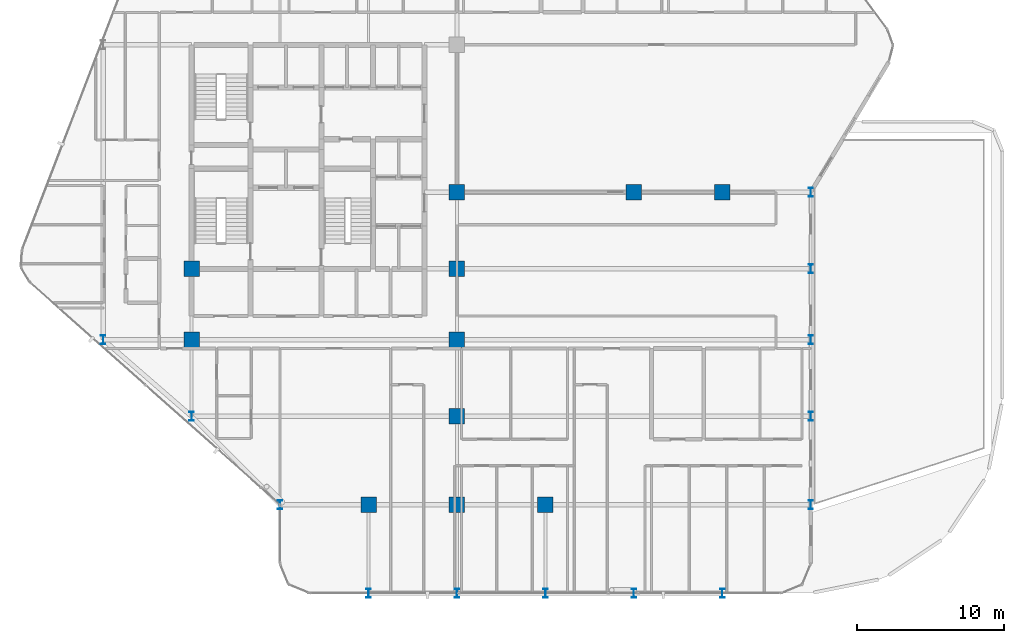
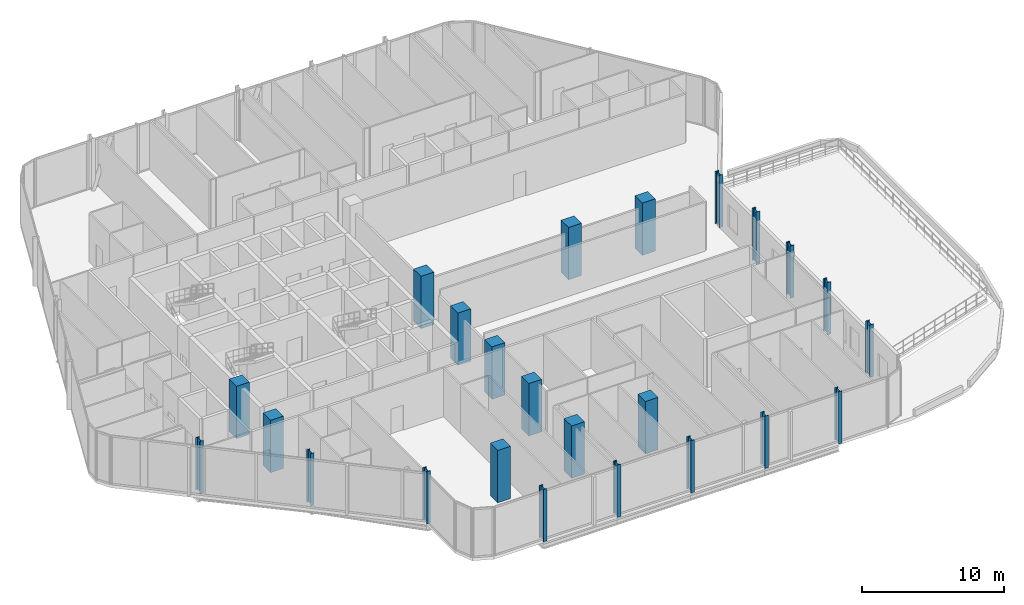
# One storey, part 1 of 30: 24 columns.
"""IFC4 building model written with IfcOpenShell, lengths in metres."""

from ifc_helpers import new_model, si_unit, direction, frame, origin, origin_2d, place, context, subcontext, project, spatial, rectangle, i_section, extrude, material, material_profile, profile_set, type_object, element, save


model = new_model("IFC4")

# Units and contexts
model_context = context("Model", 3, precision=1e-05, world=origin(), true_north=direction((0.0, 1.0)))
body_context = subcontext(model_context, "Body", "Model", "MODEL_VIEW")
ifc_project = project(units=[si_unit("LENGTHUNIT", "METRE"), si_unit("AREAUNIT", "SQUARE_METRE"), si_unit("VOLUMEUNIT", "CUBIC_METRE"), si_unit("PLANEANGLEUNIT", "RADIAN"), si_unit("MASSUNIT", "GRAM", prefix="KILO")], contexts=[model_context])

# Site, building, storey
site_placement = place(None, origin())
site = spatial("IfcSite", under=ifc_project, at=site_placement, CompositionType="ELEMENT")
building_placement = place(site_placement, origin())
building = spatial("IfcBuilding", under=site, at=building_placement, Name="Keshet Zoharim Tower", CompositionType="ELEMENT")
storey_placement = place(building_placement, frame((0.0, 0.0, 86.39990234375)))
storey = spatial("IfcBuildingStorey", under=building, at=storey_placement, Name="L20", CompositionType="ELEMENT", Elevation=86.39990234375)

# Columns
ifc_material_1 = material(Name="Steel S355", Category="steel")
ifc_material_profile_1 = material_profile(ifc_material_1, i_section(OverallWidth=0.300048828125, OverallDepth=0.60009765625, WebThickness=0.015380859375, FlangeThickness=0.030029296875, FilletRadius=0.027099609375, at=origin_2d()), Name="HEB600")
ifc_profile_set_1 = profile_set([ifc_material_profile_1], Name="Steel S355")
column_type_1 = type_object("IfcColumnType", Name="COL-HEB600", PredefinedType="COLUMN", material=ifc_profile_set_1)
for number, where, z_axis, x_axis, name in (
    (1, (9.0, 17.89990234375, 0.0), (0.0, 0.0, 1.0), (1.0, 0.0, 0.0), "L20 Column 2D"),
    (2, (15.0, 12.699951171875, 0.0), (0.0, 0.0, 1.0), (1.0, 0.0, 0.0), "L20 Column 3C"),
    (3, (21.0, 6.699951171875, 0.0), (0.0, 0.0, 1.0), (1.0, 0.0, 0.0), "L20 Column 4B"),
    (4, (27.0, 0.699951171875, 0.0), (0.0, 0.0, 1.0), (1.0, 0.0, 0.0), "L20 Column 5A"),
    (5, (33.0, 0.699951171875, 0.0), (0.0, 0.0, 1.0), (1.0, 0.0, 0.0), "L20 Column 6A"),
    (6, (39.0, 0.699951171875, 0.0), (0.0, 0.0, 1.0), (1.0, 0.0, 0.0), "L20 Column 7A"),
    (7, (45.0, 0.699951171875, 0.0), (0.0, 0.0, 1.0), (1.0, 0.0, 0.0), "L20 Column 8A"),
    (8, (51.0, 0.699951171875, 0.0), (0.0, 0.0, 1.0), (1.0, 0.0, 0.0), "L20 Column 9A"),
    (9, (57.0, 6.699951171875, 0.0), (0.0, 0.0, 1.0), (1.0, 0.0, 0.0), "L20 Column 10B"),
    (10, (57.0, 12.699951171875, 0.0), (0.0, 0.0, 1.0), (1.0, 0.0, 0.0), "L20 Column 10C"),
    (11, (57.0, 17.89990234375, 0.0), (0.0, 0.0, 1.0), (1.0, 0.0, 0.0), "L20 Column 10D"),
    (12, (57.0, 22.699951171875, 0.0), (0.0, 0.0, 1.0), (1.0, 0.0, 0.0), "L20 Column 10E"),
    (13, (57.0, 27.89990234375, 0.0), (0.0, 0.0, 1.0), (1.0, 0.0, 0.0), "L20 Column 10F"),
):
    element("IfcColumn", number, at=place(storey_placement, frame(where, z_axis=z_axis, x_axis=x_axis)), inside=storey, type_object=column_type_1, Name=name, PredefinedType="COLUMN", context=body_context, shape_type="SweptSolid", body=[
        extrude(i_section(OverallWidth=0.300048828125, OverallDepth=0.60009765625, WebThickness=0.015380859375, FlangeThickness=0.030029296875, FilletRadius=0.027099609375, at=origin_2d()), origin(), (0.0, 0.0, 1.0), 4.5),
    ])
ifc_material_2 = material(Name="Concrete C60/75", Category="concrete")
ifc_material_profile_2 = material_profile(ifc_material_2, rectangle(XDim=1.050048828125, YDim=1.050048828125, at=origin_2d()), Name="RC1050x1050")
ifc_profile_set_2 = profile_set([ifc_material_profile_2], Name="Concrete C60/75")
column_type_2 = type_object("IfcColumnType", Name="COL-RC1050", PredefinedType="COLUMN", material=ifc_profile_set_2)
for number, where, z_axis, x_axis, name in (
    (14, (15.0, 17.89990234375, 0.0), (0.0, 0.0, 1.0), (1.0, 0.0, 0.0), "L20 Column 3D"),
    (15, (15.0, 22.699951171875, 0.0), (0.0, 0.0, 1.0), (1.0, 0.0, 0.0), "L20 Column 3E"),
    (16, (27.0, 6.699951171875, 0.0), (0.0, 0.0, 1.0), (1.0, 0.0, 0.0), "L20 Column 5B"),
    (17, (33.0, 6.699951171875, 0.0), (0.0, 0.0, 1.0), (1.0, 0.0, 0.0), "L20 Column 6B"),
    (18, (33.0, 12.699951171875, 0.0), (0.0, 0.0, 1.0), (1.0, 0.0, 0.0), "L20 Column 6C"),
    (19, (33.0, 17.89990234375, 0.0), (0.0, 0.0, 1.0), (1.0, 0.0, 0.0), "L20 Column 6D"),
    (20, (33.0, 22.699951171875, 0.0), (0.0, 0.0, 1.0), (1.0, 0.0, 0.0), "L20 Column 6E"),
    (21, (33.0, 27.89990234375, 0.0), (0.0, 0.0, 1.0), (1.0, 0.0, 0.0), "L20 Column 6F"),
    (22, (39.0, 6.699951171875, 0.0), (0.0, 0.0, 1.0), (1.0, 0.0, 0.0), "L20 Column 7B"),
    (23, (45.0, 27.89990234375, 0.0), (0.0, 0.0, 1.0), (1.0, 0.0, 0.0), "L20 Column 8F"),
    (24, (51.0, 27.89990234375, 0.0), (0.0, 0.0, 1.0), (1.0, 0.0, 0.0), "L20 Column 9F"),
):
    element("IfcColumn", number, at=place(storey_placement, frame(where, z_axis=z_axis, x_axis=x_axis)), inside=storey, type_object=column_type_2, Name=name, PredefinedType="COLUMN", context=body_context, shape_type="SweptSolid", body=[
        extrude(rectangle(XDim=1.050048828125, YDim=1.050048828125, at=origin_2d()), origin(), (0.0, 0.0, 1.0), 4.5),
    ])

save(model, "model.ifc")
